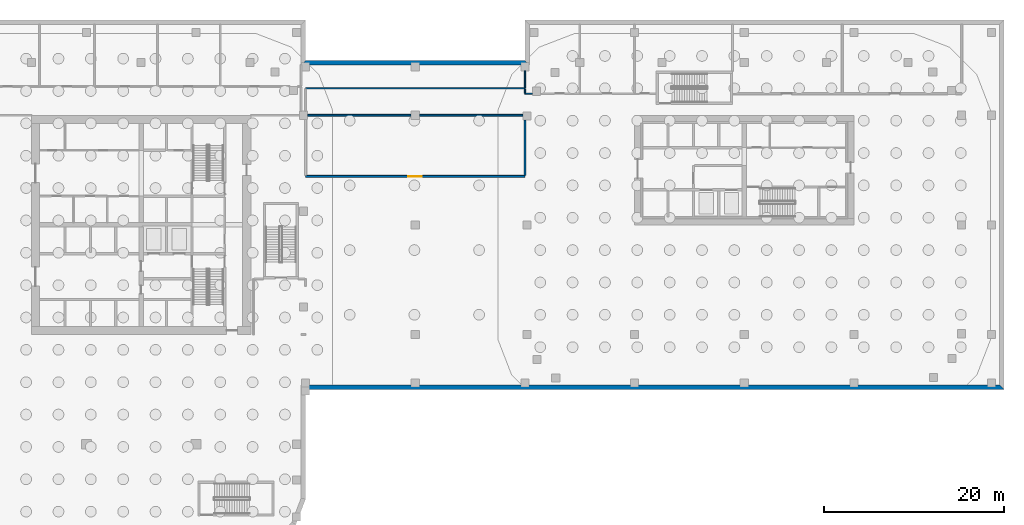
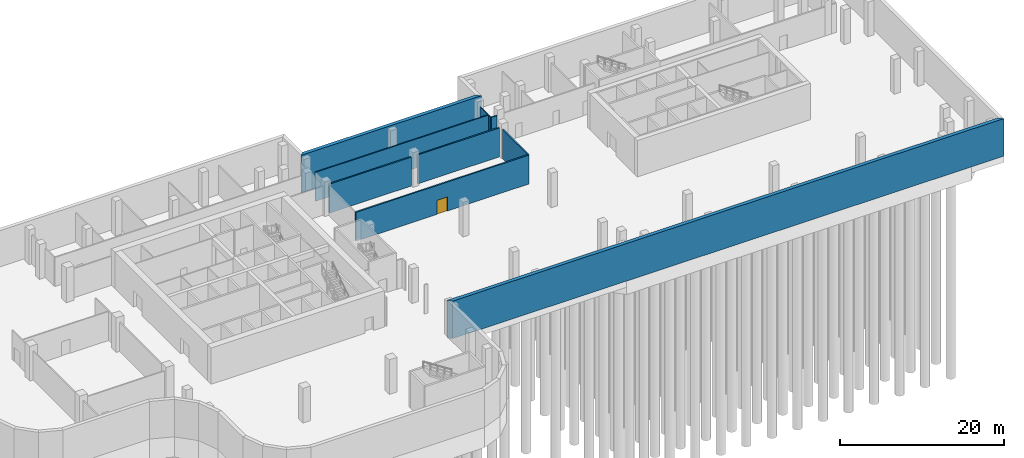
# One storey, part 7 of 13: 10 walls, 1 door, 1 opening.
"""IFC4 building model written with IfcOpenShell, lengths in metres."""

from ifc_helpers import new_model, si_unit, direction, frame, frame_2d, origin, place, context, subcontext, project, spatial, polyline, rectangle, outline, extrude, source, transform, mapped, material, layer, layer_set, type_object, element, fill, save


model = new_model("IFC4")

# Units and contexts
model_context = context("Model", 3, precision=1e-05, world=origin(), true_north=direction((0.0, 1.0)))
body_context = subcontext(model_context, "Body", "Model", "MODEL_VIEW")
ifc_project = project(units=[si_unit("LENGTHUNIT", "METRE"), si_unit("AREAUNIT", "SQUARE_METRE"), si_unit("VOLUMEUNIT", "CUBIC_METRE"), si_unit("PLANEANGLEUNIT", "RADIAN"), si_unit("MASSUNIT", "GRAM", prefix="KILO")], contexts=[model_context])

# Site, building, storey
site_placement = place(None, origin())
site = spatial("IfcSite", under=ifc_project, at=site_placement, CompositionType="ELEMENT")
building_placement = place(site_placement, origin())
building = spatial("IfcBuilding", under=site, at=building_placement, Name="Tessera Gate Towers", CompositionType="ELEMENT")
storey_placement = place(building_placement, frame((0.0, 0.0, -5.39990234375)))
storey = spatial("IfcBuildingStorey", under=building, at=storey_placement, Name="B1", CompositionType="ELEMENT", Elevation=-5.39990234375)

# Walls
ifc_material_1 = material(Name="Gypsum board on steel studs, mineral wool", Category="steel")
ifc_layer_1 = layer(ifc_material_1, 0.14990234375)
ifc_layer_set_1 = layer_set([ifc_layer_1], Name="CORRIDOR WALL 150")
wall_type_1 = type_object("IfcWallType", Name="CORRIDOR WALL 150", PredefinedType="PARTITIONING", material=ifc_layer_set_1)
wall_1_placement = place(storey_placement, frame((85.39990234375, 51.199951171875, 0.0), z_axis=(0.0, 0.0, 1.0), x_axis=(1.0, 0.0, 0.0)))
element("IfcWall", 1, at=wall_1_placement, inside=storey, type_object=wall_type_1, Name="PODIUM-B1-PW-023", PredefinedType="PARTITIONING", context=body_context, shape_type="SweptSolid", body=[
    extrude(rectangle(XDim=0.822998046875, YDim=0.14990234375, at=frame_2d((0.41162109375, 0.0))), origin(), (0.0, 0.0, 1.0), 4.31494140625),
])
wall_2_placement = place(storey_placement, frame((85.39990234375, 51.27587890625, 0.0), z_axis=(0.0, 0.0, 1.0), x_axis=(0.0, 1.0, 0.0)))
element("IfcWall", 2, at=wall_2_placement, inside=storey, type_object=wall_type_1, Name="PODIUM-B1-PW-027", PredefinedType="PARTITIONING", context=body_context, shape_type="SweptSolid", body=[
    extrude(rectangle(XDim=0.4482421875, YDim=0.14990234375, at=frame_2d((0.22412109375, 0.0))), origin(), (0.0, 0.0, 1.0), 4.31494140625),
])
wall_3_placement = place(storey_placement, frame((61.0, 51.800048828125, 0.0), z_axis=(0.0, 0.0, 1.0), x_axis=(1.0, 0.0, 0.0)))
element("IfcWall", 3, at=wall_3_placement, inside=storey, type_object=wall_type_1, Name="PODIUM-B1-PW-032", PredefinedType="PARTITIONING", context=body_context, shape_type="SweptSolid", body=[
    extrude(rectangle(XDim=24.39990234375, YDim=0.14990234375, at=frame_2d((12.199951171875, 0.0))), origin(), (0.0, 0.0, 1.0), 4.31494140625),
])

# Wall, opening, door
ifc_material_2 = material(Name="Concrete masonry unit", Category="masonry")
ifc_layer_2 = layer(ifc_material_2, 0.199951171875)
ifc_layer_set_2 = layer_set([ifc_layer_2], Name="PLANT WALL 200")
wall_type_2 = type_object("IfcWallType", Name="PLANT WALL 200", PredefinedType="PARTITIONING", material=ifc_layer_set_2)
wall_4_placement = place(storey_placement, frame((61.0, 42.0, 0.0), z_axis=(0.0, 0.0, 1.0), x_axis=(1.0, 0.0, 0.0)))
wall_4 = element("IfcWall", 4, at=wall_4_placement, inside=storey, type_object=wall_type_2, Name="PODIUM-B1-PW-014", PredefinedType="PARTITIONING", context=body_context, shape_type="SweptSolid", body=[
    extrude(rectangle(XDim=24.39990234375, YDim=0.199951171875, at=frame_2d((12.199951171875, 0.0))), origin(), (0.0, 0.0, 1.0), 4.31494140625),
])
shared_shape_1 = source(origin(), body_context, "Body", "SweptSolid", [
    extrude(rectangle(XDim=1.5, YDim=2.10009765625, at=frame_2d((0.75, 1.050048828125))), frame((0.0, 0.10986328125, 0.0), z_axis=(0.0, -1.0, 0.0), x_axis=(1.0, 0.0, 0.0)), (0.0, 0.0, 1.0), 0.219970703125),
])
opening_placement = place(wall_4_placement, frame((11.39990234375, 0.0, 0.0)))
opening = element("IfcOpeningElement", 5, at=opening_placement, cuts=wall_4, Name="Opening D5150FD90-P00-01", PredefinedType="OPENING", context=body_context, shape_type="MappedRepresentation", body=[
    mapped(shared_shape_1, transform((0.0, 0.0, 0.0), scale=1.0)),
])
ifc_material_3 = material(Name="Timber door leaf in steel frame", Category="steel")
door_type = type_object("IfcDoorType", Name="PLANT DOOR 1500 FD90", OperationType="NOTDEFINED", PredefinedType="DOOR", material=ifc_material_3)
shared_shape_2 = source(origin(), body_context, "Body", "SweptSolid", [
    extrude(rectangle(XDim=1.5, YDim=2.10009765625, at=frame_2d((0.75, 1.050048828125))), frame((0.0, 0.02490234375, 0.0), z_axis=(0.0, -1.0, 0.0), x_axis=(1.0, 0.0, 0.0)), (0.0, 0.0, 1.0), 0.050048828125),
])
door_placement = place(opening_placement, origin())
door = element("IfcDoor", 6, at=door_placement, inside=storey, type_object=door_type, Name="PODIUM-B1-PD-013", OperationType="SINGLE_SWING_LEFT", OverallHeight=2.10009765625, OverallWidth=1.5, PredefinedType="DOOR", context=body_context, shape_type="MappedRepresentation", body=[
    mapped(shared_shape_2, transform((0.0, 0.0, 0.0), scale=1.0)),
])
fill(opening, door)

# Walls
wall_5_placement = place(storey_placement, frame((85.39990234375, 42.10107421875, 0.0), z_axis=(0.0, 0.0, 1.0), x_axis=(0.0, 1.0, 0.0)))
element("IfcWall", 7, at=wall_5_placement, inside=storey, type_object=wall_type_2, Name="PODIUM-B1-PW-016", PredefinedType="PARTITIONING", context=body_context, shape_type="SweptSolid", body=[
    extrude(rectangle(XDim=6.157958984375, YDim=0.199951171875, at=frame_2d((3.0791015625, 0.0))), origin(), (0.0, 0.0, 1.0), 4.31494140625),
])
wall_6_placement = place(storey_placement, frame((61.200927734375, 48.800048828125, 0.0), z_axis=(0.0, 0.0, 1.0), x_axis=(1.0, 0.0, 0.0)))
element("IfcWall", 8, at=wall_6_placement, inside=storey, type_object=wall_type_2, Name="PODIUM-B1-PW-019", PredefinedType="PARTITIONING", context=body_context, shape_type="SweptSolid", body=[
    extrude(rectangle(XDim=11.548095703125, YDim=0.199951171875, at=frame_2d((5.77392578125, 0.0))), origin(), (0.0, 0.0, 1.0), 4.31494140625),
])
wall_7_placement = place(storey_placement, frame((73.65087890625, 48.800048828125, 0.0), z_axis=(0.0, 0.0, 1.0), x_axis=(1.0, 0.0, 0.0)))
element("IfcWall", 9, at=wall_7_placement, inside=storey, type_object=wall_type_2, Name="PODIUM-B1-PW-020", PredefinedType="PARTITIONING", context=body_context, shape_type="SweptSolid", body=[
    extrude(rectangle(XDim=11.531005859375, YDim=0.199951171875, at=frame_2d((5.765625, 0.0))), origin(), (0.0, 0.0, 1.0), 4.31494140625),
])
ifc_material_4 = material(Name="Concrete C40/50", Category="concrete")
ifc_layer_3 = layer(ifc_material_4, 0.5)
ifc_layer_set_3 = layer_set([ifc_layer_3], Name="RETAINING WALL 500 C40/50")
wall_type_3 = type_object("IfcWallType", Name="RETAINING WALL 500 C40/50", PredefinedType="SOLIDWALL", material=ifc_layer_set_3)
wall_8_placement = place(storey_placement, frame((0.0, 0.0, -0.2001953125)))
element("IfcWall", 10, at=wall_8_placement, inside=storey, type_object=wall_type_3, Name="PD-B1-RETAINING-18", PredefinedType="SOLIDWALL", context=body_context, shape_type="SweptSolid", body=[
    extrude(outline(polyline([(60.5, 54.39990234375), (85.89990234375, 54.39990234375), (85.39990234375, 54.89990234375), (61.0, 54.89990234375), (60.5, 54.39990234375)])), origin(), (0.0, 0.0, 1.0), 5.60009765625),
])
wall_9_placement = place(storey_placement, frame((0.0, 0.0, -0.2001953125)))
element("IfcWall", 11, at=wall_9_placement, inside=storey, type_object=wall_type_3, Name="PD-B1-RETAINING-22", PredefinedType="SOLIDWALL", context=body_context, shape_type="SweptSolid", body=[
    extrude(outline(polyline([(60.5, 18.800048828125), (61.0, 18.300048828125), (138.699951171875, 18.300048828125), (138.199951171875, 18.800048828125), (60.5, 18.800048828125)])), origin(), (0.0, 0.0, 1.0), 5.60009765625),
])
ifc_material_5 = material(Name="Gypsum board on steel studs, mineral wool", Category="steel")
ifc_layer_4 = layer(ifc_material_5, 0.14990234375)
ifc_layer_set_4 = layer_set([ifc_layer_4], Name="TENANCY WALL 150")
wall_type_4 = type_object("IfcWallType", Name="TENANCY WALL 150", PredefinedType="PARTITIONING", material=ifc_layer_set_4)
wall_10_placement = place(storey_placement, frame((85.39990234375, 51.8759765625, 0.0), z_axis=(0.0, 0.0, 1.0), x_axis=(0.0, 1.0, 0.0)))
element("IfcWall", 12, at=wall_10_placement, inside=storey, type_object=wall_type_4, Name="PODIUM-B1-PW-033", PredefinedType="PARTITIONING", context=body_context, shape_type="SweptSolid", body=[
    extrude(rectangle(XDim=1.873046875, YDim=0.14990234375, at=frame_2d((0.9365234375, 0.0))), origin(), (0.0, 0.0, 1.0), 4.31494140625),
])

save(model, "model.ifc")
